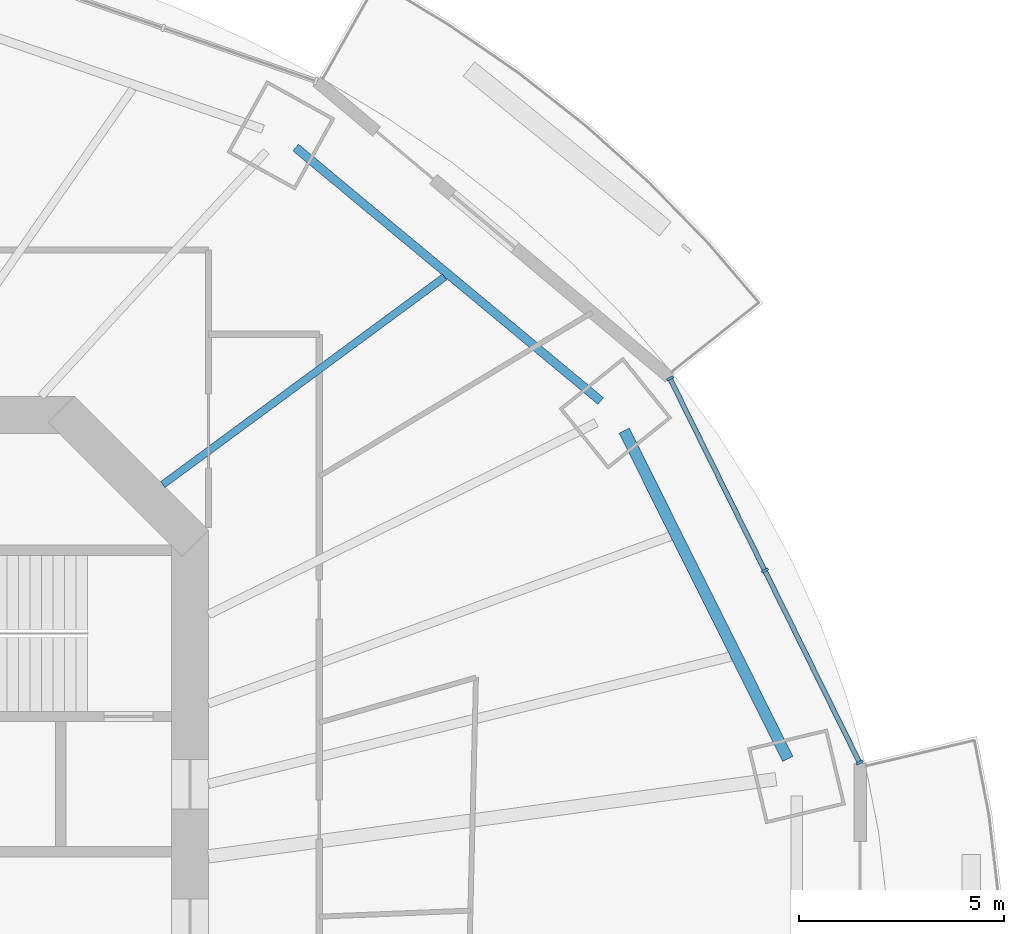
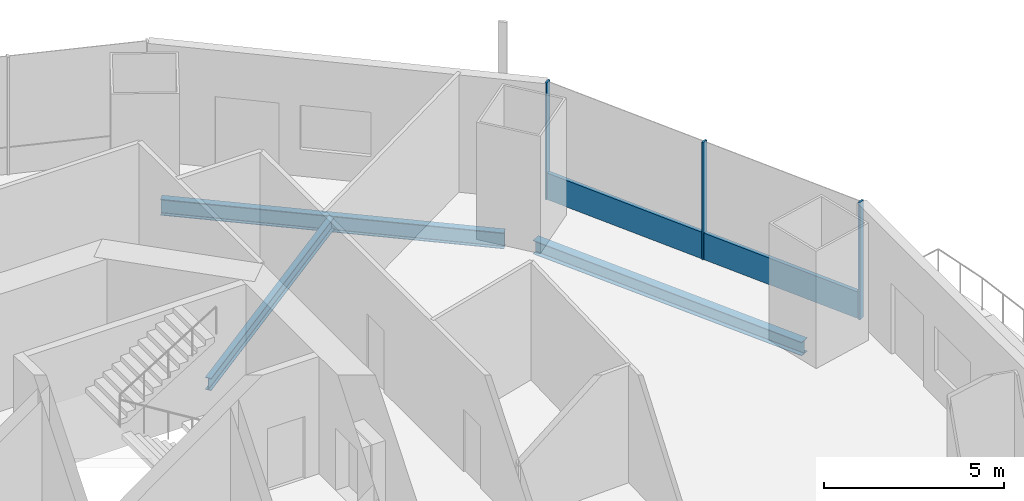
# One storey, part 8 of 20: 4 members, 3 beams, 1 element without a shape of its own.
"""IFC4 building model written with IfcOpenShell, lengths in metres."""

import ifcopenshell
import ifcopenshell.guid

model = None  # the IFC model being written
_history = None  # IfcOwnerHistory: only IFC2X3 demands one
_inside = {}  # id of a spatial element -> (the spatial element, [elements in it])
_under = {}  # id of a project, library or spatial element -> (it, [spatial elements below it])
_declared = {}  # id of a project -> (the project, [libraries it declares])
_typed = {}  # id of a type object -> (the type object, [elements of that type])
_made_of = {}  # id of a material, layer set ... -> (it, [elements and type objects made of it])


def new_model(schema):
    """Start an empty IFC model of exactly this schema.

    Asked for "IFC4X3", IfcOpenShell would pick the latest addendum, in which some entities
    have other attributes; the version numbers below select the first issue.
    IFC2X3 requires an IfcOwnerHistory on every rooted entity: one is made here for all.
    """
    global model, _history
    if schema == "IFC4X3":
        model = ifcopenshell.file(schema_version=(4, 3, 0, 0))
    else:
        model = ifcopenshell.file(schema=schema)
    _inside.clear()
    _under.clear()
    _declared.clear()
    _typed.clear()
    _made_of.clear()
    _history = None
    if model.schema == "IFC2X3":
        org = make("IfcOrganization", Name="unknown")
        user = make(
            "IfcPersonAndOrganization",
            ThePerson=make("IfcPerson", FamilyName="unknown"),
            TheOrganization=org,
        )
        app = make(
            "IfcApplication",
            ApplicationDeveloper=org,
            Version="unknown",
            ApplicationFullName="unknown",
            ApplicationIdentifier="unknown",
        )
        _history = make(
            "IfcOwnerHistory",
            OwningUser=user,
            OwningApplication=app,
            ChangeAction="ADDED",
            CreationDate=0,
        )
    return model


def make(cls, **values):
    """One entity of the class cls with the attributes given. An attribute that is None is left unset."""
    return model.create_entity(
        cls, **{name: value for name, value in values.items() if value is not None}
    )


def rooted(cls, **values):
    """An entity with a GlobalId (a new one), such as an element, a storey or a relation."""
    return make(cls, GlobalId=ifcopenshell.guid.new(), OwnerHistory=_history, **values)


def si_unit(unit_type, name, prefix=None):
    """IfcSIUnit, for example si_unit("LENGTHUNIT", "METRE", prefix="MILLI")."""
    return make("IfcSIUnit", UnitType=unit_type, Prefix=prefix, Name=name)


def assignment(units):
    """IfcUnitAssignment: the units of a project."""
    return None if units is None else make("IfcUnitAssignment", Units=units)


def point(xyz):
    """IfcCartesianPoint."""
    return None if xyz is None else make("IfcCartesianPoint", Coordinates=xyz)


def direction(xyz):
    """IfcDirection."""
    return None if xyz is None else make("IfcDirection", DirectionRatios=xyz)


def frame(location, z_axis=None, x_axis=None):
    """IfcAxis2Placement3D, a coordinate frame: its origin and axes. An axis left out is left unset."""
    return make(
        "IfcAxis2Placement3D",
        Location=point(location),
        Axis=direction(z_axis),
        RefDirection=direction(x_axis),
    )


def frame_2d(location, x_axis=None):
    """IfcAxis2Placement2D, a coordinate frame in the plane: its origin and x axis."""
    return make(
        "IfcAxis2Placement2D", Location=point(location), RefDirection=direction(x_axis)
    )


def origin():
    """The frame at (0, 0, 0) with its axes left unset."""
    return frame((0.0, 0.0, 0.0))


def origin_2d():
    """The frame at (0, 0) in the plane with its x axis left unset."""
    return frame_2d((0.0, 0.0))


def place(relative_to, where):
    """IfcLocalPlacement: puts the frame where relative to a parent placement (None: the world)."""
    return make(
        "IfcLocalPlacement", PlacementRelTo=relative_to, RelativePlacement=where
    )


def context(
    kind, dimensions, precision=None, world=None, true_north=None, identifier=None
):
    """IfcGeometricRepresentationContext, for example the 3D "Model" context."""
    return make(
        "IfcGeometricRepresentationContext",
        ContextIdentifier=identifier,
        ContextType=kind,
        CoordinateSpaceDimension=dimensions,
        Precision=precision,
        WorldCoordinateSystem=world,
        TrueNorth=true_north,
    )


def subcontext(parent, identifier, kind, view, scale=None):
    """IfcGeometricRepresentationSubContext, for example "Body" below "Model"."""
    return make(
        "IfcGeometricRepresentationSubContext",
        ContextIdentifier=identifier,
        ContextType=kind,
        ParentContext=parent,
        TargetScale=scale,
        TargetView=view,
    )


def project(units=None, contexts=None):
    """IfcProject with its units and contexts."""
    return rooted(
        "IfcProject",
        Name="project",
        RepresentationContexts=contexts,
        UnitsInContext=assignment(units),
    )


def spatial(cls, under=None, at=None, **own):
    """A site, building, storey or space (cls), placed at a placement, below another one or the project."""
    s = rooted(cls, ObjectPlacement=at, **own)
    if under is not None:
        _under.setdefault(under.id(), (under, []))[1].append(s)
    return s


def profile(cls, at=None, kind="AREA", **sizes):
    """A parametric profile (cls). Its sizes go by their IFC names, for example OverallWidth=200.0."""
    return make(cls, ProfileType=kind, Position=at, **sizes)


def rectangle(**sizes):
    """IfcRectangleProfileDef."""
    return profile("IfcRectangleProfileDef", **sizes)


def i_section(**sizes):
    """IfcIShapeProfileDef."""
    return profile("IfcIShapeProfileDef", **sizes)


def extrude(swept, where, along, depth):
    """IfcExtrudedAreaSolid: the profile swept, set in the frame where, extruded along a direction by depth."""
    return make(
        "IfcExtrudedAreaSolid",
        SweptArea=swept,
        Position=where,
        ExtrudedDirection=direction(along),
        Depth=depth,
    )


def shape(context_of_items, identifier, shape_type, items):
    """IfcShapeRepresentation: the items that make up one representation, for example the "Body"."""
    return make(
        "IfcShapeRepresentation",
        ContextOfItems=context_of_items,
        RepresentationIdentifier=identifier,
        RepresentationType=shape_type,
        Items=items,
    )


def material(Name=None, Category=None):
    """IfcMaterial."""
    return make("IfcMaterial", Name=Name, Category=Category)


def material_profile(
    of_material, cross_section, Name=None, Category=None, Priority=None
):
    """IfcMaterialProfile: a cross section and its material."""
    return make(
        "IfcMaterialProfile",
        Name=Name,
        Material=of_material,
        Profile=cross_section,
        Priority=Priority,
        Category=Category,
    )


def profile_set(profiles, Name=None, composite=None):
    """IfcMaterialProfileSet."""
    return make(
        "IfcMaterialProfileSet",
        Name=Name,
        MaterialProfiles=profiles,
        CompositeProfile=composite,
    )


def made_of(thing, what):
    """Note that an element or type object is made of a material, layer set ...; save() writes the relation."""
    if what is not None:
        _made_of.setdefault(what.id(), (what, []))[1].append(thing)
    return thing


def type_object(cls, material=None, **own):
    """A type object (cls), such as IfcWallType, which elements share."""
    return made_of(rooted(cls, **own), material)


def element(
    cls,
    number,
    at=None,
    inside=None,
    cuts=None,
    type_object=None,
    material=None,
    context=None,
    identifier="Body",
    shape_type=None,
    held_by="IfcProductDefinitionShape",
    body=None,
    shapes=None,
    **own,
):
    """One element of the class cls, such as IfcWall. Its Tag is "e" and its number.

    at: its placement. inside: the storey or other place that contains it. cuts: it is an
    opening in that element (IfcRelVoidsElement). A single representation is given by context,
    identifier, shape_type and body (its items); several are given by shapes. held_by: the class
    of the entity that holds the representations. save() writes the other relations.
    """
    e = rooted(cls, Tag="e%d" % number, ObjectPlacement=at, **own)
    if body is not None:
        shapes = [shape(context, identifier, shape_type, body)]
    if shapes is not None:
        e.Representation = make(held_by, Representations=shapes)
    if inside is not None:
        _inside.setdefault(inside.id(), (inside, []))[1].append(e)
    if cuts is not None:
        rooted(
            "IfcRelVoidsElement", RelatingBuildingElement=cuts, RelatedOpeningElement=e
        )
    if type_object is not None:
        _typed.setdefault(type_object.id(), (type_object, []))[1].append(e)
    return made_of(e, material)


def aggregate(whole, parts):
    """IfcRelAggregates: a whole, such as a stair, and the parts it consists of."""
    return rooted("IfcRelAggregates", RelatingObject=whole, RelatedObjects=parts)


def save(model, path):
    """Write the relations noted so far, then the file.

    IfcRelAggregates (storeys below a building ...), IfcRelContainedInSpatialStructure (elements
    in a storey), IfcRelDefinesByType, IfcRelAssociatesMaterial and IfcRelDeclares: one each for
    every whole, place, type object, material and project.
    """
    for whole, parts in _under.values():
        aggregate(whole, parts)
    for where, things in _inside.values():
        rooted(
            "IfcRelContainedInSpatialStructure",
            RelatedElements=things,
            RelatingStructure=where,
        )
    for kind, things in _typed.values():
        rooted("IfcRelDefinesByType", RelatedObjects=things, RelatingType=kind)
    for what, things in _made_of.values():
        rooted("IfcRelAssociatesMaterial", RelatedObjects=things, RelatingMaterial=what)
    for by, libraries in _declared.values():
        rooted("IfcRelDeclares", RelatingContext=by, RelatedDefinitions=libraries)
    model.write(path)


model = new_model("IFC4")

# Units and contexts
model_context = context("Model", 3, precision=1e-05, world=origin(), true_north=direction((0.0, 1.0)))
body_context = subcontext(model_context, "Body", "Model", "MODEL_VIEW")
ifc_project = project(units=[si_unit("LENGTHUNIT", "METRE"), si_unit("AREAUNIT", "SQUARE_METRE"), si_unit("VOLUMEUNIT", "CUBIC_METRE"), si_unit("PLANEANGLEUNIT", "RADIAN"), si_unit("MASSUNIT", "GRAM", prefix="KILO")], contexts=[model_context])

# Site, building, storey
site_placement = place(None, origin())
site = spatial("IfcSite", under=ifc_project, at=site_placement, CompositionType="ELEMENT")
building_placement = place(site_placement, origin())
building = spatial("IfcBuilding", under=site, at=building_placement, Name="Marenthal Gate Tower", CompositionType="ELEMENT")
storey_placement = place(building_placement, frame((0.0, 0.0, 215.0)))
storey = spatial("IfcBuildingStorey", under=building, at=storey_placement, Name="L47", CompositionType="ELEMENT", Elevation=215.0)

# Curtain wall, members
ifc_material_1 = material(Name="Aluminium and glass", Category="aluminium")
curtain_wall_type = type_object("IfcCurtainWallType", Name="Curtain wall typical mid", PredefinedType="NOTDEFINED", material=ifc_material_1)
curtain_wall_placement = place(storey_placement, origin())
curtain_wall = element("IfcCurtainWall", 1, at=curtain_wall_placement, inside=storey, type_object=curtain_wall_type, Name="Curtain wall L47 bay 1", PredefinedType="NOTDEFINED")
ifc_material_2 = material(Name="Aluminium", Category="aluminium")
ifc_material_profile_1 = material_profile(ifc_material_2, rectangle(XDim=0.179931640625, YDim=0.06005859375, at=origin_2d()), Name="60x180 aluminium mullion")
ifc_profile_set_1 = profile_set([ifc_material_profile_1], Name="Aluminium")
member_type_1 = type_object("IfcMemberType", Name="Mullion 60x180 typical mid", PredefinedType="MULLION", material=ifc_profile_set_1)
member_1_placement = place(storey_placement, frame((32.318603515625, 4.524658203125, 0.0), z_axis=(0.0, 0.0, 1.0), x_axis=(-0.896756924648, -0.442523466153, 0.0)))
member_1 = element("IfcMember", 2, at=member_1_placement, type_object=member_type_1, Name="Mullion L47 bay 1.1", PredefinedType="MULLION", context=body_context, shape_type="SweptSolid", body=[
    extrude(rectangle(XDim=0.179931640625, YDim=0.06005859375, at=origin_2d()), origin(), (0.0, 0.0, 1.0), 3.969970703125),
])
member_2_placement = place(storey_placement, frame((30.0078125, 9.207275390625, 0.0), z_axis=(0.0, 0.0, 1.0), x_axis=(-0.896756924648, -0.442523466153, 0.0)))
member_2 = element("IfcMember", 3, at=member_2_placement, type_object=member_type_1, Name="Mullion L47 bay 1.2", PredefinedType="MULLION", context=body_context, shape_type="SweptSolid", body=[
    extrude(rectangle(XDim=0.179931640625, YDim=0.06005859375, at=origin_2d()), origin(), (0.0, 0.0, 1.0), 3.969970703125),
])
member_3_placement = place(storey_placement, frame((27.69677734375, 13.89013671875, 0.0), z_axis=(0.0, 0.0, 1.0), x_axis=(-0.896756924648, -0.442523466153, 0.0)))
member_3 = element("IfcMember", 4, at=member_3_placement, type_object=member_type_1, Name="Mullion L47 bay 1.3", PredefinedType="MULLION", context=body_context, shape_type="SweptSolid", body=[
    extrude(rectangle(XDim=0.179931640625, YDim=0.06005859375, at=origin_2d()), origin(), (0.0, 0.0, 1.0), 3.969970703125),
])
ifc_material_3 = material(Name="Aluminium", Category="aluminium")
ifc_material_profile_2 = material_profile(ifc_material_3, rectangle(XDim=0.1201171875, YDim=0.89990234375, at=origin_2d()), Name="120x900 aluminium transom")
ifc_profile_set_2 = profile_set([ifc_material_profile_2], Name="Aluminium")
member_type_2 = type_object("IfcMemberType", Name="Transom 120x900 typical mid", PredefinedType="USERDEFINED", material=ifc_profile_set_2)
member_4_placement = place(storey_placement, frame((32.30517578125, 4.551513671875, 0.449951171875), z_axis=(-0.44251449594, 0.896761351131, 0.0), x_axis=(-0.896761351131, -0.44251449594, 0.0)))
member_4 = element("IfcMember", 5, at=member_4_placement, type_object=member_type_2, Name="Transom L47 bay 1", ObjectType="TRANSOM", PredefinedType="USERDEFINED", context=body_context, shape_type="SweptSolid", body=[
    extrude(rectangle(XDim=0.1201171875, YDim=0.89990234375, at=origin_2d()), origin(), (0.0, 0.0, 1.0), 10.3837890625),
])
aggregate(curtain_wall, [member_1, member_2, member_3, member_4])

# Beams
ifc_material_4 = material(Name="Steel S355", Category="steel")
ifc_material_profile_3 = material_profile(ifc_material_4, i_section(OverallWidth=0.180908203125, OverallDepth=0.4169921875, WebThickness=0.010986328125, FlangeThickness=0.018310546875, FilletRadius=0.01025390625, at=origin_2d()), Name="W410X85")
ifc_profile_set_3 = profile_set([ifc_material_profile_3], Name="Steel S355")
beam_type_1 = type_object("IfcBeamType", Name="W410X85 beam", PredefinedType="BEAM", material=ifc_profile_set_3)
beam_1_placement = place(storey_placement, frame((22.20556640625, 16.361083984375, -0.388427734375), z_axis=(-0.805066625037, -0.593184397343, 0.0), x_axis=(0.593184397343, -0.805066625037, 0.0)))
element("IfcBeam", 6, at=beam_1_placement, inside=storey, type_object=beam_type_1, Name="BM-L47-19", PredefinedType="BEAM", context=body_context, shape_type="SweptSolid", body=[
    extrude(i_section(OverallWidth=0.180908203125, OverallDepth=0.4169921875, WebThickness=0.010986328125, FlangeThickness=0.018310546875, FilletRadius=0.01025390625, at=origin_2d()), origin(), (0.0, 0.0, 1.0), 8.532470703125),
])
ifc_material_5 = material(Name="Steel S355", Category="steel")
ifc_material_profile_4 = material_profile(ifc_material_5, i_section(OverallWidth=0.279052734375, OverallDepth=0.4619140625, WebThickness=0.0107421875, FlangeThickness=0.017333984375, FilletRadius=0.010009765625, at=origin_2d()), Name="W460X113")
ifc_profile_set_4 = profile_set([ifc_material_profile_4], Name="Steel S355")
beam_type_2 = type_object("IfcBeamType", Name="W460X113 beam", PredefinedType="BEAM", material=ifc_profile_set_4)
beam_2_placement = place(storey_placement, frame((30.5703125, 4.61474609375, -0.410888671875), z_axis=(-0.44619754622, 0.894934494668, 0.0), x_axis=(-0.894934494668, -0.44619754622, 0.0)))
element("IfcBeam", 7, at=beam_2_placement, inside=storey, type_object=beam_type_2, Name="BM-L47-41", PredefinedType="BEAM", context=body_context, shape_type="SweptSolid", body=[
    extrude(i_section(OverallWidth=0.279052734375, OverallDepth=0.4619140625, WebThickness=0.0107421875, FlangeThickness=0.017333984375, FilletRadius=0.010009765625, at=origin_2d()), origin(), (0.0, 0.0, 1.0), 8.941162109375),
])
ifc_material_6 = material(Name="Steel S355", Category="steel")
ifc_material_profile_5 = material_profile(ifc_material_6, i_section(OverallWidth=0.2119140625, OverallDepth=0.5439453125, WebThickness=0.01318359375, FlangeThickness=0.021240234375, FilletRadius=0.0126953125, at=origin_2d()), Name="W530X123")
ifc_profile_set_5 = profile_set([ifc_material_profile_5], Name="Steel S355")
beam_type_3 = type_object("IfcBeamType", Name="W530X123 beam", PredefinedType="BEAM", material=ifc_profile_set_5)
beam_3_placement = place(storey_placement, frame((26.0087890625, 13.339111328125, -0.451904296875), z_axis=(-0.769164771419, 0.63905051006, 0.0), x_axis=(-0.63905051006, -0.769164771419, 0.0)))
element("IfcBeam", 8, at=beam_3_placement, inside=storey, type_object=beam_type_3, Name="BM-L47-42", PredefinedType="BEAM", context=body_context, shape_type="SweptSolid", body=[
    extrude(i_section(OverallWidth=0.2119140625, OverallDepth=0.5439453125, WebThickness=0.01318359375, FlangeThickness=0.021240234375, FilletRadius=0.0126953125, at=origin_2d()), origin(), (0.0, 0.0, 1.0), 9.663330078125),
])

save(model, "model.ifc")
